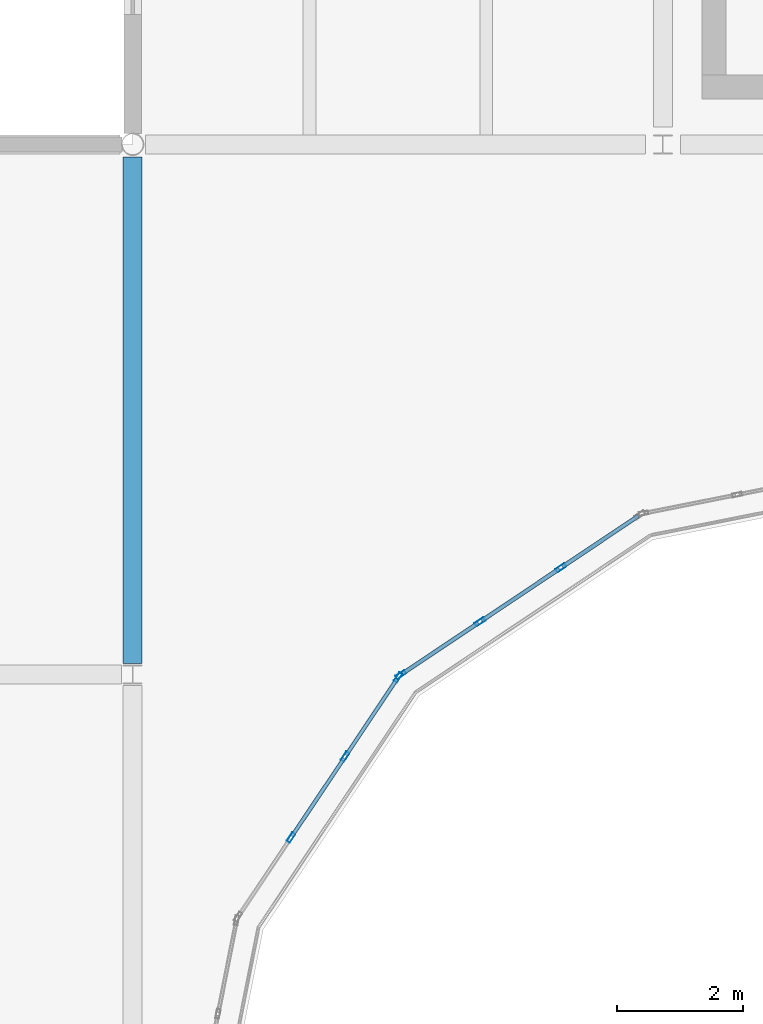
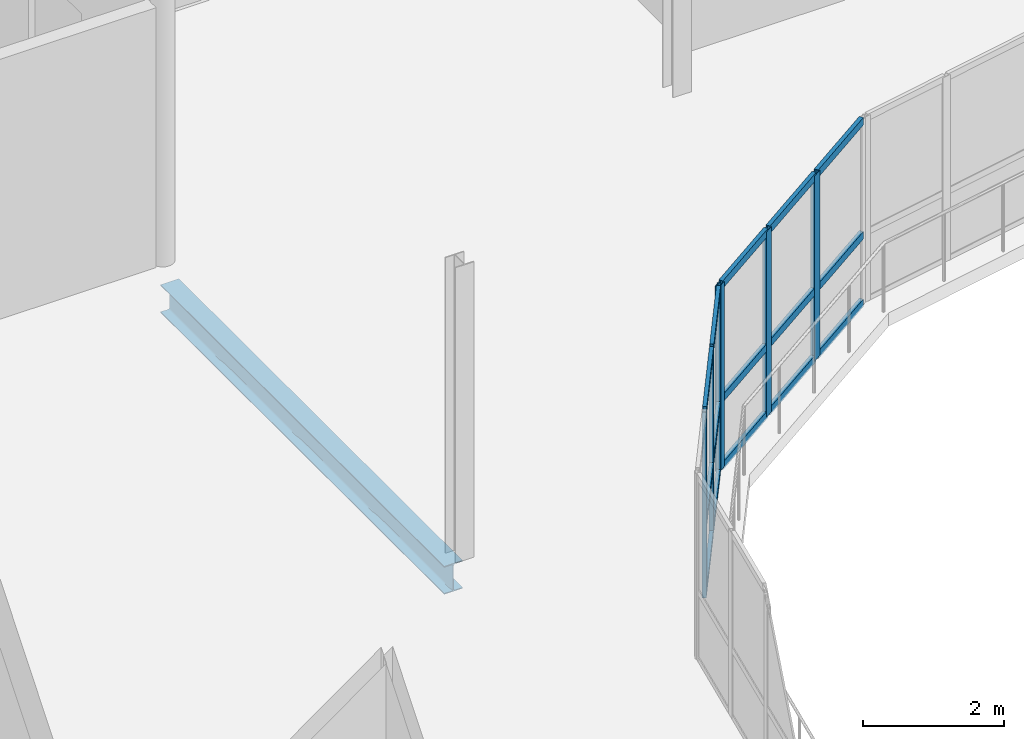
# One storey, part 21 of 91: 21 members, 1 beam, 2 elements without a shape of their own.
"""IFC4 building model written with IfcOpenShell, lengths in metres."""

from ifc_helpers import new_model, si_unit, direction, frame, origin, origin_2d, place, context, subcontext, project, spatial, hollow_rectangle, i_section, extrude, material, layer, layer_set, material_profile, profile_set, type_object, element, aggregate, save


model = new_model("IFC4")

# Units and contexts
model_context = context("Model", 3, precision=1e-05, world=origin(), true_north=direction((0.0, 1.0)))
body_context = subcontext(model_context, "Body", "Model", "MODEL_VIEW")
ifc_project = project(units=[si_unit("LENGTHUNIT", "METRE"), si_unit("AREAUNIT", "SQUARE_METRE"), si_unit("VOLUMEUNIT", "CUBIC_METRE"), si_unit("PLANEANGLEUNIT", "RADIAN"), si_unit("MASSUNIT", "GRAM", prefix="KILO"), si_unit("THERMODYNAMICTEMPERATUREUNIT", "KELVIN")], contexts=[model_context])

# Site, building, storey
site_placement = place(None, origin())
site = spatial("IfcSite", under=ifc_project, at=site_placement, CompositionType="ELEMENT")
building_placement = place(site_placement, origin())
building = spatial("IfcBuilding", under=site, at=building_placement, Name="Lustrewick Department Store", CompositionType="ELEMENT")
storey_placement = place(building_placement, frame((0.0, 0.0, 21.60009765625)))
storey = spatial("IfcBuildingStorey", under=building, at=storey_placement, Name="L05", CompositionType="ELEMENT", Elevation=21.60009765625)

# Curtain wall, members
ifc_material_1 = material(Name="Thermally broken aluminium 6063-T5", Category="aluminium")
ifc_layer_1 = layer(ifc_material_1, 0.169921875, Name="Thermally broken aluminium 6063-T5")
ifc_layer_set_1 = layer_set([ifc_layer_1], Name="Thermally broken aluminium 6063-T5")
curtain_wall_type_1 = type_object("IfcCurtainWallType", Name="CW16", PredefinedType="NOTDEFINED", material=ifc_layer_set_1)
curtain_wall_1_placement = place(storey_placement, origin())
curtain_wall_1 = element("IfcCurtainWall", 1, at=curtain_wall_1_placement, inside=storey, type_object=curtain_wall_type_1, Name="L05 Atrium Glazed Screen CW16", PredefinedType="NOTDEFINED")
ifc_material_profile_1 = material_profile(ifc_material_1, hollow_rectangle(XDim=0.06494140625, YDim=0.169921875, WallThickness=0.00390625, at=origin_2d()), Name="ALU-M 65x170x4")
ifc_profile_set_1 = profile_set([ifc_material_profile_1], Name="Thermally broken aluminium 6063-T5")
member_type_1 = type_object("IfcMemberType", Name="CW16-M1", PredefinedType="MULLION", material=ifc_profile_set_1)
member_1_placement = place(storey_placement, frame((23.583740234375, 77.291748046875, 0.0), z_axis=(0.0, 0.0, 1.0), x_axis=(0.555578313862, -0.831464212799, 0.0)))
member_1 = element("IfcMember", 2, at=member_1_placement, type_object=member_type_1, Name="CW16 mullion 2", PredefinedType="MULLION", context=body_context, shape_type="SweptSolid", body=[
    extrude(hollow_rectangle(XDim=0.06494140625, YDim=0.169921875, WallThickness=0.00390625, at=origin_2d()), origin(), (0.0, 0.0, 1.0), 3.199951171875),
])
member_2_placement = place(storey_placement, frame((22.30224609375, 76.435546875, 0.0), z_axis=(0.0, 0.0, 1.0), x_axis=(0.555578313862, -0.831464212799, 0.0)))
member_2 = element("IfcMember", 3, at=member_2_placement, type_object=member_type_1, Name="CW16 mullion 3", PredefinedType="MULLION", context=body_context, shape_type="SweptSolid", body=[
    extrude(hollow_rectangle(XDim=0.06494140625, YDim=0.169921875, WallThickness=0.00390625, at=origin_2d()), origin(), (0.0, 0.0, 1.0), 3.199951171875),
])
member_3_placement = place(storey_placement, frame((21.0478515625, 75.59716796875, 0.0), z_axis=(0.0, 0.0, 1.0), x_axis=(0.555578313862, -0.831464212799, 0.0)))
member_3 = element("IfcMember", 4, at=member_3_placement, type_object=member_type_1, Name="CW16 mullion 4", PredefinedType="MULLION", context=body_context, shape_type="SweptSolid", body=[
    extrude(hollow_rectangle(XDim=0.06494140625, YDim=0.169921875, WallThickness=0.00390625, at=origin_2d()), origin(), (0.0, 0.0, 1.0), 3.199951171875),
])
ifc_material_profile_2 = material_profile(ifc_material_1, hollow_rectangle(XDim=0.06494140625, YDim=0.1298828125, WallThickness=0.00341796875, at=origin_2d()), Name="ALU-T 65x130x3.5")
ifc_profile_set_2 = profile_set([ifc_material_profile_2], Name="Thermally broken aluminium 6063-T5")
member_type_2 = type_object("IfcMemberType", Name="CW16-T1", PredefinedType="USERDEFINED", material=ifc_profile_set_2)
member_4_placement = place(storey_placement, frame((24.81103515625, 78.11181640625, 0.032470703125), z_axis=(-0.831451344126, -0.555597572305, 0.0), x_axis=(0.555597572305, -0.831451344126, 0.0)))
member_4 = element("IfcMember", 5, at=member_4_placement, type_object=member_type_2, Name="CW16 transom 1.1", ObjectType="TRANSOM", PredefinedType="USERDEFINED", context=body_context, shape_type="SweptSolid", body=[
    extrude(hollow_rectangle(XDim=0.06494140625, YDim=0.1298828125, WallThickness=0.00341796875, at=origin_2d()), origin(), (0.0, 0.0, 1.0), 1.443603515625),
])
member_5_placement = place(storey_placement, frame((24.81103515625, 78.11181640625, 1.199951171875), z_axis=(-0.831451344126, -0.555597572305, 0.0), x_axis=(0.555597572305, -0.831451344126, 0.0)))
member_5 = element("IfcMember", 6, at=member_5_placement, type_object=member_type_2, Name="CW16 transom 1.2", ObjectType="TRANSOM", PredefinedType="USERDEFINED", context=body_context, shape_type="SweptSolid", body=[
    extrude(hollow_rectangle(XDim=0.06494140625, YDim=0.1298828125, WallThickness=0.00341796875, at=origin_2d()), origin(), (0.0, 0.0, 1.0), 1.443603515625),
])
member_6_placement = place(storey_placement, frame((24.81103515625, 78.11181640625, 3.16748046875), z_axis=(-0.831451344126, -0.555597572305, 0.0), x_axis=(0.555597572305, -0.831451344126, 0.0)))
member_6 = element("IfcMember", 7, at=member_6_placement, type_object=member_type_2, Name="CW16 transom 1.3", ObjectType="TRANSOM", PredefinedType="USERDEFINED", context=body_context, shape_type="SweptSolid", body=[
    extrude(hollow_rectangle(XDim=0.06494140625, YDim=0.1298828125, WallThickness=0.00341796875, at=origin_2d()), origin(), (0.0, 0.0, 1.0), 1.443603515625),
])
member_7_placement = place(storey_placement, frame((23.556640625, 77.273681640625, 0.032470703125), z_axis=(-0.831464570536, -0.555577778482, 0.0), x_axis=(0.555577778482, -0.831464570536, 0.0)))
member_7 = element("IfcMember", 8, at=member_7_placement, type_object=member_type_2, Name="CW16 transom 2.1", ObjectType="TRANSOM", PredefinedType="USERDEFINED", context=body_context, shape_type="SweptSolid", body=[
    extrude(hollow_rectangle(XDim=0.06494140625, YDim=0.1298828125, WallThickness=0.00341796875, at=origin_2d()), origin(), (0.0, 0.0, 1.0), 1.47607421875),
])
member_8_placement = place(storey_placement, frame((23.556640625, 77.273681640625, 1.199951171875), z_axis=(-0.831464570536, -0.555577778482, 0.0), x_axis=(0.555577778482, -0.831464570536, 0.0)))
member_8 = element("IfcMember", 9, at=member_8_placement, type_object=member_type_2, Name="CW16 transom 2.2", ObjectType="TRANSOM", PredefinedType="USERDEFINED", context=body_context, shape_type="SweptSolid", body=[
    extrude(hollow_rectangle(XDim=0.06494140625, YDim=0.1298828125, WallThickness=0.00341796875, at=origin_2d()), origin(), (0.0, 0.0, 1.0), 1.47607421875),
])
member_9_placement = place(storey_placement, frame((23.556640625, 77.273681640625, 3.16748046875), z_axis=(-0.831464570536, -0.555577778482, 0.0), x_axis=(0.555577778482, -0.831464570536, 0.0)))
member_9 = element("IfcMember", 10, at=member_9_placement, type_object=member_type_2, Name="CW16 transom 2.3", ObjectType="TRANSOM", PredefinedType="USERDEFINED", context=body_context, shape_type="SweptSolid", body=[
    extrude(hollow_rectangle(XDim=0.06494140625, YDim=0.1298828125, WallThickness=0.00341796875, at=origin_2d()), origin(), (0.0, 0.0, 1.0), 1.47607421875),
])
member_10_placement = place(storey_placement, frame((22.275146484375, 76.41748046875, 0.032470703125), z_axis=(-0.831373212471, -0.555714478474, 0.0), x_axis=(0.555714478474, -0.831373212471, 0.0)))
member_10 = element("IfcMember", 11, at=member_10_placement, type_object=member_type_2, Name="CW16 transom 3.1", ObjectType="TRANSOM", PredefinedType="USERDEFINED", context=body_context, shape_type="SweptSolid", body=[
    extrude(hollow_rectangle(XDim=0.06494140625, YDim=0.1298828125, WallThickness=0.00341796875, at=origin_2d()), origin(), (0.0, 0.0, 1.0), 1.443603515625),
])
member_11_placement = place(storey_placement, frame((22.275146484375, 76.41748046875, 1.199951171875), z_axis=(-0.831373212471, -0.555714478474, 0.0), x_axis=(0.555714478474, -0.831373212471, 0.0)))
member_11 = element("IfcMember", 12, at=member_11_placement, type_object=member_type_2, Name="CW16 transom 3.2", ObjectType="TRANSOM", PredefinedType="USERDEFINED", context=body_context, shape_type="SweptSolid", body=[
    extrude(hollow_rectangle(XDim=0.06494140625, YDim=0.1298828125, WallThickness=0.00341796875, at=origin_2d()), origin(), (0.0, 0.0, 1.0), 1.443603515625),
])
member_12_placement = place(storey_placement, frame((22.275146484375, 76.41748046875, 3.16748046875), z_axis=(-0.831373212471, -0.555714478474, 0.0), x_axis=(0.555714478474, -0.831373212471, 0.0)))
member_12 = element("IfcMember", 13, at=member_12_placement, type_object=member_type_2, Name="CW16 transom 3.3", ObjectType="TRANSOM", PredefinedType="USERDEFINED", context=body_context, shape_type="SweptSolid", body=[
    extrude(hollow_rectangle(XDim=0.06494140625, YDim=0.1298828125, WallThickness=0.00341796875, at=origin_2d()), origin(), (0.0, 0.0, 1.0), 1.443603515625),
])
aggregate(curtain_wall_1, [member_1, member_2, member_3, member_4, member_5, member_6, member_7, member_8, member_9, member_10, member_11, member_12])

ifc_layer_2 = layer(ifc_material_1, 0.159912109375, Name="Thermally broken aluminium 6063-T5")
ifc_layer_set_2 = layer_set([ifc_layer_2], Name="Thermally broken aluminium 6063-T5")
curtain_wall_type_2 = type_object("IfcCurtainWallType", Name="CW17", PredefinedType="NOTDEFINED", material=ifc_layer_set_2)
curtain_wall_2_placement = place(storey_placement, origin())
curtain_wall_2 = element("IfcCurtainWall", 14, at=curtain_wall_2_placement, inside=storey, type_object=curtain_wall_type_2, Name="L05 Atrium Glazed Screen CW17", PredefinedType="NOTDEFINED")
ifc_material_profile_3 = material_profile(ifc_material_1, hollow_rectangle(XDim=0.06005859375, YDim=0.159912109375, WallThickness=0.00390625, at=origin_2d()), Name="ALU-M 60x160x4")
ifc_profile_set_3 = profile_set([ifc_material_profile_3], Name="Thermally broken aluminium 6063-T5")
member_type_3 = type_object("IfcMemberType", Name="CW17-M1", PredefinedType="MULLION", material=ifc_profile_set_3)
member_13_placement = place(storey_placement, frame((21.004150390625, 75.55419921875, 0.0), z_axis=(0.0, 0.0, 1.0), x_axis=(0.831464212799, -0.555578313862, 0.0)))
member_13 = element("IfcMember", 15, at=member_13_placement, type_object=member_type_3, Name="CW17 mullion 1", PredefinedType="MULLION", context=body_context, shape_type="SweptSolid", body=[
    extrude(hollow_rectangle(XDim=0.06005859375, YDim=0.159912109375, WallThickness=0.00390625, at=origin_2d()), origin(), (0.0, 0.0, 1.0), 3.199951171875),
])
member_14_placement = place(storey_placement, frame((20.16455078125, 74.2978515625, 0.0), z_axis=(0.0, 0.0, 1.0), x_axis=(0.831464212799, -0.555578313862, 0.0)))
member_14 = element("IfcMember", 16, at=member_14_placement, type_object=member_type_3, Name="CW17 mullion 2", PredefinedType="MULLION", context=body_context, shape_type="SweptSolid", body=[
    extrude(hollow_rectangle(XDim=0.06005859375, YDim=0.159912109375, WallThickness=0.00390625, at=origin_2d()), origin(), (0.0, 0.0, 1.0), 3.199951171875),
])
member_15_placement = place(storey_placement, frame((19.308349609375, 73.016357421875, 0.0), z_axis=(0.0, 0.0, 1.0), x_axis=(0.831464212799, -0.555578313862, 0.0)))
member_15 = element("IfcMember", 17, at=member_15_placement, type_object=member_type_3, Name="CW17 mullion 3", PredefinedType="MULLION", context=body_context, shape_type="SweptSolid", body=[
    extrude(hollow_rectangle(XDim=0.06005859375, YDim=0.159912109375, WallThickness=0.00390625, at=origin_2d()), origin(), (0.0, 0.0, 1.0), 3.199951171875),
])
ifc_material_profile_4 = material_profile(ifc_material_1, hollow_rectangle(XDim=0.06005859375, YDim=0.1201171875, WallThickness=0.00341796875, at=origin_2d()), Name="ALU-T 60x120x3.5")
ifc_profile_set_4 = profile_set([ifc_material_profile_4], Name="Thermally broken aluminium 6063-T5")
member_type_4 = type_object("IfcMemberType", Name="CW17-T1", PredefinedType="USERDEFINED", material=ifc_profile_set_4)
member_16_placement = place(storey_placement, frame((20.987548828125, 75.529296875, 0.02978515625), z_axis=(-0.555670388234, -0.831402682002, 0.0), x_axis=(0.831402682002, -0.555670388234, 0.0)))
member_16 = element("IfcMember", 18, at=member_16_placement, type_object=member_type_4, Name="CW17 transom 1.1", ObjectType="TRANSOM", PredefinedType="USERDEFINED", context=body_context, shape_type="SweptSolid", body=[
    extrude(hollow_rectangle(XDim=0.06005859375, YDim=0.1201171875, WallThickness=0.00341796875, at=origin_2d()), origin(), (0.0, 0.0, 1.0), 1.451171875),
])
member_17_placement = place(storey_placement, frame((20.987548828125, 75.529296875, 1.199951171875), z_axis=(-0.555670388234, -0.831402682002, 0.0), x_axis=(0.831402682002, -0.555670388234, 0.0)))
member_17 = element("IfcMember", 19, at=member_17_placement, type_object=member_type_4, Name="CW17 transom 1.2", ObjectType="TRANSOM", PredefinedType="USERDEFINED", context=body_context, shape_type="SweptSolid", body=[
    extrude(hollow_rectangle(XDim=0.06005859375, YDim=0.1201171875, WallThickness=0.00341796875, at=origin_2d()), origin(), (0.0, 0.0, 1.0), 1.451171875),
])
member_18_placement = place(storey_placement, frame((20.987548828125, 75.529296875, 3.169921875), z_axis=(-0.555670388234, -0.831402682002, 0.0), x_axis=(0.831402682002, -0.555670388234, 0.0)))
member_18 = element("IfcMember", 20, at=member_18_placement, type_object=member_type_4, Name="CW17 transom 1.3", ObjectType="TRANSOM", PredefinedType="USERDEFINED", context=body_context, shape_type="SweptSolid", body=[
    extrude(hollow_rectangle(XDim=0.06005859375, YDim=0.1201171875, WallThickness=0.00341796875, at=origin_2d()), origin(), (0.0, 0.0, 1.0), 1.451171875),
])
member_19_placement = place(storey_placement, frame((20.14794921875, 74.272705078125, 0.02978515625), z_axis=(-0.555650791413, -0.83141577926, 0.0), x_axis=(0.83141577926, -0.555650791413, 0.0)))
member_19 = element("IfcMember", 21, at=member_19_placement, type_object=member_type_4, Name="CW17 transom 2.1", ObjectType="TRANSOM", PredefinedType="USERDEFINED", context=body_context, shape_type="SweptSolid", body=[
    extrude(hollow_rectangle(XDim=0.06005859375, YDim=0.1201171875, WallThickness=0.00341796875, at=origin_2d()), origin(), (0.0, 0.0, 1.0), 1.481201171875),
])
member_20_placement = place(storey_placement, frame((20.14794921875, 74.272705078125, 1.199951171875), z_axis=(-0.555650791413, -0.83141577926, 0.0), x_axis=(0.83141577926, -0.555650791413, 0.0)))
member_20 = element("IfcMember", 22, at=member_20_placement, type_object=member_type_4, Name="CW17 transom 2.2", ObjectType="TRANSOM", PredefinedType="USERDEFINED", context=body_context, shape_type="SweptSolid", body=[
    extrude(hollow_rectangle(XDim=0.06005859375, YDim=0.1201171875, WallThickness=0.00341796875, at=origin_2d()), origin(), (0.0, 0.0, 1.0), 1.481201171875),
])
member_21_placement = place(storey_placement, frame((20.14794921875, 74.272705078125, 3.169921875), z_axis=(-0.555650791413, -0.83141577926, 0.0), x_axis=(0.83141577926, -0.555650791413, 0.0)))
member_21 = element("IfcMember", 23, at=member_21_placement, type_object=member_type_4, Name="CW17 transom 2.3", ObjectType="TRANSOM", PredefinedType="USERDEFINED", context=body_context, shape_type="SweptSolid", body=[
    extrude(hollow_rectangle(XDim=0.06005859375, YDim=0.1201171875, WallThickness=0.00341796875, at=origin_2d()), origin(), (0.0, 0.0, 1.0), 1.481201171875),
])
aggregate(curtain_wall_2, [member_13, member_14, member_15, member_16, member_17, member_18, member_19, member_20, member_21])

# Beam
ifc_material_2 = material(Name="Structural steel Q355B", Category="steel")
ifc_material_profile_5 = material_profile(ifc_material_2, i_section(OverallWidth=0.300048828125, OverallDepth=0.48193359375, WebThickness=0.010986328125, FlangeThickness=0.014892578125, FilletRadius=0.02197265625, at=origin_2d()), Name="HM 482x300x11x15")
ifc_profile_set_5 = profile_set([ifc_material_profile_5], Name="Structural steel Q355B")
beam_type = type_object("IfcBeamType", Name="G20", PredefinedType="BEAM", material=ifc_profile_set_5)
beam_placement = place(storey_placement, frame((16.800048828125, 75.77490234375, -0.49609375), z_axis=(0.0, 1.0, 0.0), x_axis=(-1.0, 0.0, 0.0)))
element("IfcBeam", 24, at=beam_placement, inside=storey, type_object=beam_type, Name="L05 V1 Girder G20", PredefinedType="BEAM", context=body_context, shape_type="SweptSolid", body=[
    extrude(i_section(OverallWidth=0.300048828125, OverallDepth=0.48193359375, WebThickness=0.010986328125, FlangeThickness=0.014892578125, FilletRadius=0.02197265625, at=origin_2d()), origin(), (0.0, 0.0, 1.0), 8.022216796875),
])

save(model, "model.ifc")
